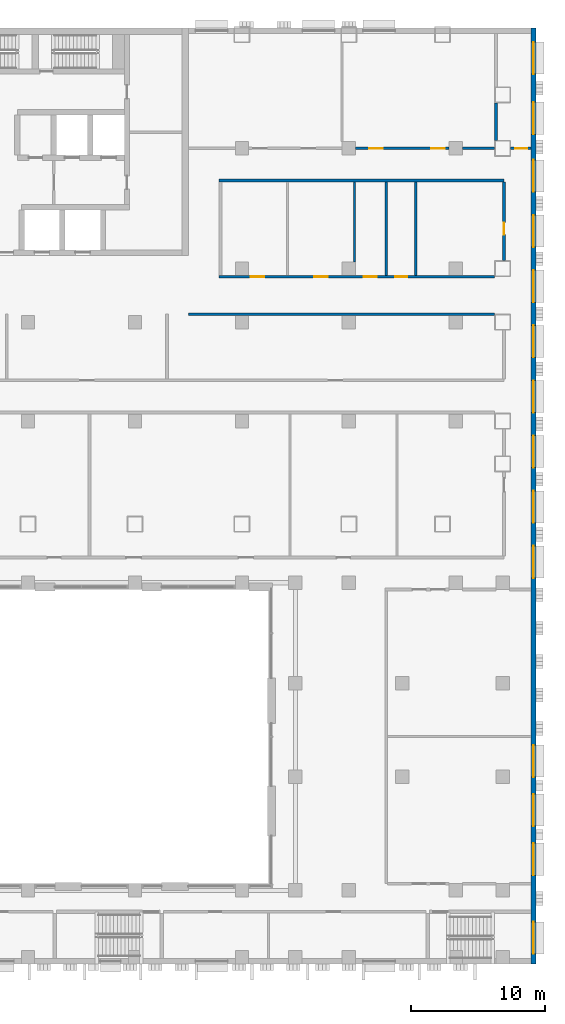
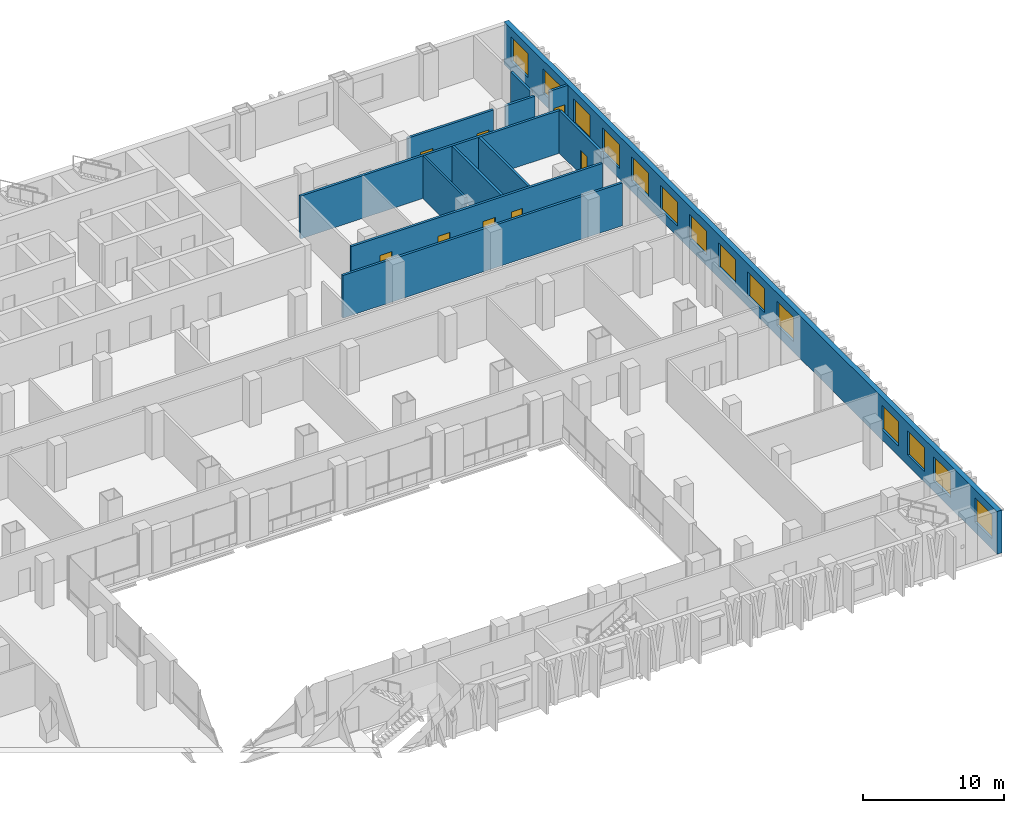
# One storey, part 15 of 26: 14 windows, 12 walls, 8 doors, 22 openings.
"""IFC4 building model written with IfcOpenShell, lengths in metres."""

from ifc_helpers import new_model, si_unit, direction, frame, frame_2d, origin, place, context, subcontext, project, spatial, rectangle, extrude, material, layer, layer_set, type_object, element, fill, save


model = new_model("IFC4")

# Units and contexts
model_context = context("Model", 3, precision=1e-05, world=origin(), true_north=direction((0.0, 1.0)))
body_context = subcontext(model_context, "Body", "Model", "MODEL_VIEW")
ifc_project = project(units=[si_unit("LENGTHUNIT", "METRE"), si_unit("AREAUNIT", "SQUARE_METRE"), si_unit("VOLUMEUNIT", "CUBIC_METRE"), si_unit("PLANEANGLEUNIT", "RADIAN"), si_unit("MASSUNIT", "GRAM", prefix="KILO")], contexts=[model_context])

# Site, building, storey
site_placement = place(None, origin())
site = spatial("IfcSite", under=ifc_project, at=site_placement, CompositionType="ELEMENT")
building_placement = place(site_placement, origin())
building = spatial("IfcBuilding", under=site, at=building_placement, Name="Vidyagriha Tower", CompositionType="ELEMENT")
storey_placement = place(building_placement, frame((0.0, 0.0, 6.0)))
storey = spatial("IfcBuildingStorey", under=building, at=storey_placement, Name="L01", CompositionType="ELEMENT", Elevation=6.0)

# Wall, openings, windows
ifc_material_1 = material(Name="Concrete C40/50 board-marked with brick facing", Category="concrete")
ifc_layer_1 = layer(ifc_material_1, 0.39990234375)
ifc_layer_set_1 = layer_set([ifc_layer_1], Name="Concrete C40/50 board-marked with brick facing")
wall_type_1 = type_object("IfcWallType", Name="Brick-faced board-marked concrete podium wall 400", PredefinedType="STANDARD", material=ifc_layer_set_1)
wall_1_placement = place(storey_placement, frame((39.800048828125, -50.0, 0.0), z_axis=(0.0, 0.0, 1.0), x_axis=(0.0, 1.0, 0.0)))
wall_1 = element("IfcWall", 1, at=wall_1_placement, inside=storey, type_object=wall_type_1, Name="Podium wall L01 R01", PredefinedType="STANDARD", context=body_context, shape_type="SweptSolid", body=[
    extrude(rectangle(XDim=70.0, YDim=0.39990234375, at=frame_2d((35.0, 0.0))), origin(), (0.0, 0.0, 1.0), 3.699951171875),
])
opening_1_placement = place(wall_1_placement, frame((0.75, 0.0, 0.89990234375)))
opening_1 = element("IfcOpeningElement", 2, at=opening_1_placement, cuts=wall_1, Name="Opening WN3", PredefinedType="OPENING", context=body_context, shape_type="SweptSolid", body=[
    extrude(rectangle(XDim=2.39990234375, YDim=2.10009765625, at=frame_2d((1.199951171875, 1.050048828125))), frame((0.0, 0.2099609375, 0.0), z_axis=(0.0, -1.0, 0.0), x_axis=(1.0, 0.0, 0.0)), (0.0, 0.0, 1.0), 0.419921875),
])
opening_2_placement = place(wall_1_placement, frame((6.63330078125, 0.0, 0.89990234375)))
opening_2 = element("IfcOpeningElement", 3, at=opening_2_placement, cuts=wall_1, Name="Opening WN3", PredefinedType="OPENING", context=body_context, shape_type="SweptSolid", body=[
    extrude(rectangle(XDim=2.39990234375, YDim=2.10009765625, at=frame_2d((1.199951171875, 1.050048828125))), frame((0.0, 0.2099609375, 0.0), z_axis=(0.0, -1.0, 0.0), x_axis=(1.0, 0.0, 0.0)), (0.0, 0.0, 1.0), 0.419921875),
])
opening_3_placement = place(wall_1_placement, frame((10.300048828125, 0.0, 0.89990234375)))
opening_3 = element("IfcOpeningElement", 4, at=opening_3_placement, cuts=wall_1, Name="Opening WN3", PredefinedType="OPENING", context=body_context, shape_type="SweptSolid", body=[
    extrude(rectangle(XDim=2.39990234375, YDim=2.10009765625, at=frame_2d((1.199951171875, 1.050048828125))), frame((0.0, 0.2099609375, 0.0), z_axis=(0.0, -1.0, 0.0), x_axis=(1.0, 0.0, 0.0)), (0.0, 0.0, 1.0), 0.419921875),
])
opening_4_placement = place(wall_1_placement, frame((13.966796875, 0.0, 0.89990234375)))
opening_4 = element("IfcOpeningElement", 5, at=opening_4_placement, cuts=wall_1, Name="Opening WN3", PredefinedType="OPENING", context=body_context, shape_type="SweptSolid", body=[
    extrude(rectangle(XDim=2.39990234375, YDim=2.10009765625, at=frame_2d((1.199951171875, 1.050048828125))), frame((0.0, 0.2099609375, 0.0), z_axis=(0.0, -1.0, 0.0), x_axis=(1.0, 0.0, 0.0)), (0.0, 0.0, 1.0), 0.419921875),
])
opening_5_placement = place(wall_1_placement, frame((28.862548828125, 0.0, 0.89990234375)))
opening_5 = element("IfcOpeningElement", 6, at=opening_5_placement, cuts=wall_1, Name="Opening WN3", PredefinedType="OPENING", context=body_context, shape_type="SweptSolid", body=[
    extrude(rectangle(XDim=2.39990234375, YDim=2.10009765625, at=frame_2d((1.199951171875, 1.050048828125))), frame((0.0, 0.2099609375, 0.0), z_axis=(0.0, -1.0, 0.0), x_axis=(1.0, 0.0, 0.0)), (0.0, 0.0, 1.0), 0.419921875),
])
opening_6_placement = place(wall_1_placement, frame((32.987548828125, 0.0, 0.89990234375)))
opening_6 = element("IfcOpeningElement", 7, at=opening_6_placement, cuts=wall_1, Name="Opening WN3", PredefinedType="OPENING", context=body_context, shape_type="SweptSolid", body=[
    extrude(rectangle(XDim=2.39990234375, YDim=2.10009765625, at=frame_2d((1.199951171875, 1.050048828125))), frame((0.0, 0.2099609375, 0.0), z_axis=(0.0, -1.0, 0.0), x_axis=(1.0, 0.0, 0.0)), (0.0, 0.0, 1.0), 0.419921875),
])
opening_7_placement = place(wall_1_placement, frame((37.112548828125, 0.0, 0.89990234375)))
opening_7 = element("IfcOpeningElement", 8, at=opening_7_placement, cuts=wall_1, Name="Opening WN3", PredefinedType="OPENING", context=body_context, shape_type="SweptSolid", body=[
    extrude(rectangle(XDim=2.39990234375, YDim=2.10009765625, at=frame_2d((1.199951171875, 1.050048828125))), frame((0.0, 0.2099609375, 0.0), z_axis=(0.0, -1.0, 0.0), x_axis=(1.0, 0.0, 0.0)), (0.0, 0.0, 1.0), 0.419921875),
])
opening_8_placement = place(wall_1_placement, frame((41.237548828125, 0.0, 0.89990234375)))
opening_8 = element("IfcOpeningElement", 9, at=opening_8_placement, cuts=wall_1, Name="Opening WN3", PredefinedType="OPENING", context=body_context, shape_type="SweptSolid", body=[
    extrude(rectangle(XDim=2.39990234375, YDim=2.10009765625, at=frame_2d((1.199951171875, 1.050048828125))), frame((0.0, 0.2099609375, 0.0), z_axis=(0.0, -1.0, 0.0), x_axis=(1.0, 0.0, 0.0)), (0.0, 0.0, 1.0), 0.419921875),
])
opening_9_placement = place(wall_1_placement, frame((45.362548828125, 0.0, 0.89990234375)))
opening_9 = element("IfcOpeningElement", 10, at=opening_9_placement, cuts=wall_1, Name="Opening WN3", PredefinedType="OPENING", context=body_context, shape_type="SweptSolid", body=[
    extrude(rectangle(XDim=2.39990234375, YDim=2.10009765625, at=frame_2d((1.199951171875, 1.050048828125))), frame((0.0, 0.2099609375, 0.0), z_axis=(0.0, -1.0, 0.0), x_axis=(1.0, 0.0, 0.0)), (0.0, 0.0, 1.0), 0.419921875),
])
opening_10_placement = place(wall_1_placement, frame((49.487548828125, 0.0, 0.89990234375)))
opening_10 = element("IfcOpeningElement", 11, at=opening_10_placement, cuts=wall_1, Name="Opening WN3", PredefinedType="OPENING", context=body_context, shape_type="SweptSolid", body=[
    extrude(rectangle(XDim=2.39990234375, YDim=2.10009765625, at=frame_2d((1.199951171875, 1.050048828125))), frame((0.0, 0.2099609375, 0.0), z_axis=(0.0, -1.0, 0.0), x_axis=(1.0, 0.0, 0.0)), (0.0, 0.0, 1.0), 0.419921875),
])
opening_11_placement = place(wall_1_placement, frame((53.612548828125, 0.0, 0.89990234375)))
opening_11 = element("IfcOpeningElement", 12, at=opening_11_placement, cuts=wall_1, Name="Opening WN3", PredefinedType="OPENING", context=body_context, shape_type="SweptSolid", body=[
    extrude(rectangle(XDim=2.39990234375, YDim=2.10009765625, at=frame_2d((1.199951171875, 1.050048828125))), frame((0.0, 0.2099609375, 0.0), z_axis=(0.0, -1.0, 0.0), x_axis=(1.0, 0.0, 0.0)), (0.0, 0.0, 1.0), 0.419921875),
])
opening_12_placement = place(wall_1_placement, frame((57.737548828125, 0.0, 0.89990234375)))
opening_12 = element("IfcOpeningElement", 13, at=opening_12_placement, cuts=wall_1, Name="Opening WN3", PredefinedType="OPENING", context=body_context, shape_type="SweptSolid", body=[
    extrude(rectangle(XDim=2.39990234375, YDim=2.10009765625, at=frame_2d((1.199951171875, 1.050048828125))), frame((0.0, 0.2099609375, 0.0), z_axis=(0.0, -1.0, 0.0), x_axis=(1.0, 0.0, 0.0)), (0.0, 0.0, 1.0), 0.419921875),
])
opening_13_placement = place(wall_1_placement, frame((62.050048828125, 0.0, 0.89990234375)))
opening_13 = element("IfcOpeningElement", 14, at=opening_13_placement, cuts=wall_1, Name="Opening WN3", PredefinedType="OPENING", context=body_context, shape_type="SweptSolid", body=[
    extrude(rectangle(XDim=2.39990234375, YDim=2.10009765625, at=frame_2d((1.199951171875, 1.050048828125))), frame((0.0, 0.2099609375, 0.0), z_axis=(0.0, -1.0, 0.0), x_axis=(1.0, 0.0, 0.0)), (0.0, 0.0, 1.0), 0.419921875),
])
opening_14_placement = place(wall_1_placement, frame((66.550048828125, 0.0, 0.89990234375)))
opening_14 = element("IfcOpeningElement", 15, at=opening_14_placement, cuts=wall_1, Name="Opening WN3", PredefinedType="OPENING", context=body_context, shape_type="SweptSolid", body=[
    extrude(rectangle(XDim=2.39990234375, YDim=2.10009765625, at=frame_2d((1.199951171875, 1.050048828125))), frame((0.0, 0.2099609375, 0.0), z_axis=(0.0, -1.0, 0.0), x_axis=(1.0, 0.0, 0.0)), (0.0, 0.0, 1.0), 0.419921875),
])
ifc_material_2 = material(Name="Aluminium and glass window", Category="aluminium")
window_type = type_object("IfcWindowType", Name="Podium school window 2400x2100", PartitioningType="NOTDEFINED", PredefinedType="WINDOW", material=ifc_material_2)
window_1_placement = place(opening_1_placement, origin())
window_1 = element("IfcWindow", 16, at=window_1_placement, inside=storey, type_object=window_type, Name="School window L01 R01.1", OverallHeight=2.10009765625, OverallWidth=2.39990234375, PartitioningType="SINGLE_PANEL", PredefinedType="WINDOW", context=body_context, shape_type="SweptSolid", body=[
    extrude(rectangle(XDim=2.39990234375, YDim=2.10009765625, at=frame_2d((1.199951171875, 1.050048828125))), frame((0.0, 0.030029296875, 0.0), z_axis=(0.0, -1.0, 0.0), x_axis=(1.0, 0.0, 0.0)), (0.0, 0.0, 1.0), 0.06005859375),
])
fill(opening_1, window_1)
window_2_placement = place(opening_2_placement, origin())
window_2 = element("IfcWindow", 17, at=window_2_placement, inside=storey, type_object=window_type, Name="School window L01 R01.3", OverallHeight=2.10009765625, OverallWidth=2.39990234375, PartitioningType="SINGLE_PANEL", PredefinedType="WINDOW", context=body_context, shape_type="SweptSolid", body=[
    extrude(rectangle(XDim=2.39990234375, YDim=2.10009765625, at=frame_2d((1.199951171875, 1.050048828125))), frame((0.0, 0.030029296875, 0.0), z_axis=(0.0, -1.0, 0.0), x_axis=(1.0, 0.0, 0.0)), (0.0, 0.0, 1.0), 0.06005859375),
])
fill(opening_2, window_2)
window_3_placement = place(opening_3_placement, origin())
window_3 = element("IfcWindow", 18, at=window_3_placement, inside=storey, type_object=window_type, Name="School window L01 R01.4", OverallHeight=2.10009765625, OverallWidth=2.39990234375, PartitioningType="SINGLE_PANEL", PredefinedType="WINDOW", context=body_context, shape_type="SweptSolid", body=[
    extrude(rectangle(XDim=2.39990234375, YDim=2.10009765625, at=frame_2d((1.199951171875, 1.050048828125))), frame((0.0, 0.030029296875, 0.0), z_axis=(0.0, -1.0, 0.0), x_axis=(1.0, 0.0, 0.0)), (0.0, 0.0, 1.0), 0.06005859375),
])
fill(opening_3, window_3)
window_4_placement = place(opening_4_placement, origin())
window_4 = element("IfcWindow", 19, at=window_4_placement, inside=storey, type_object=window_type, Name="School window L01 R01.5", OverallHeight=2.10009765625, OverallWidth=2.39990234375, PartitioningType="SINGLE_PANEL", PredefinedType="WINDOW", context=body_context, shape_type="SweptSolid", body=[
    extrude(rectangle(XDim=2.39990234375, YDim=2.10009765625, at=frame_2d((1.199951171875, 1.050048828125))), frame((0.0, 0.030029296875, 0.0), z_axis=(0.0, -1.0, 0.0), x_axis=(1.0, 0.0, 0.0)), (0.0, 0.0, 1.0), 0.06005859375),
])
fill(opening_4, window_4)
window_5_placement = place(opening_5_placement, origin())
window_5 = element("IfcWindow", 20, at=window_5_placement, inside=storey, type_object=window_type, Name="School window L01 R01.10", OverallHeight=2.10009765625, OverallWidth=2.39990234375, PartitioningType="SINGLE_PANEL", PredefinedType="WINDOW", context=body_context, shape_type="SweptSolid", body=[
    extrude(rectangle(XDim=2.39990234375, YDim=2.10009765625, at=frame_2d((1.199951171875, 1.050048828125))), frame((0.0, 0.030029296875, 0.0), z_axis=(0.0, -1.0, 0.0), x_axis=(1.0, 0.0, 0.0)), (0.0, 0.0, 1.0), 0.06005859375),
])
fill(opening_5, window_5)
window_6_placement = place(opening_6_placement, origin())
window_6 = element("IfcWindow", 21, at=window_6_placement, inside=storey, type_object=window_type, Name="School window L01 R01.11", OverallHeight=2.10009765625, OverallWidth=2.39990234375, PartitioningType="SINGLE_PANEL", PredefinedType="WINDOW", context=body_context, shape_type="SweptSolid", body=[
    extrude(rectangle(XDim=2.39990234375, YDim=2.10009765625, at=frame_2d((1.199951171875, 1.050048828125))), frame((0.0, 0.030029296875, 0.0), z_axis=(0.0, -1.0, 0.0), x_axis=(1.0, 0.0, 0.0)), (0.0, 0.0, 1.0), 0.06005859375),
])
fill(opening_6, window_6)
window_7_placement = place(opening_7_placement, origin())
window_7 = element("IfcWindow", 22, at=window_7_placement, inside=storey, type_object=window_type, Name="School window L01 R01.12", OverallHeight=2.10009765625, OverallWidth=2.39990234375, PartitioningType="SINGLE_PANEL", PredefinedType="WINDOW", context=body_context, shape_type="SweptSolid", body=[
    extrude(rectangle(XDim=2.39990234375, YDim=2.10009765625, at=frame_2d((1.199951171875, 1.050048828125))), frame((0.0, 0.030029296875, 0.0), z_axis=(0.0, -1.0, 0.0), x_axis=(1.0, 0.0, 0.0)), (0.0, 0.0, 1.0), 0.06005859375),
])
fill(opening_7, window_7)
window_8_placement = place(opening_8_placement, origin())
window_8 = element("IfcWindow", 23, at=window_8_placement, inside=storey, type_object=window_type, Name="School window L01 R01.13", OverallHeight=2.10009765625, OverallWidth=2.39990234375, PartitioningType="SINGLE_PANEL", PredefinedType="WINDOW", context=body_context, shape_type="SweptSolid", body=[
    extrude(rectangle(XDim=2.39990234375, YDim=2.10009765625, at=frame_2d((1.199951171875, 1.050048828125))), frame((0.0, 0.030029296875, 0.0), z_axis=(0.0, -1.0, 0.0), x_axis=(1.0, 0.0, 0.0)), (0.0, 0.0, 1.0), 0.06005859375),
])
fill(opening_8, window_8)
window_9_placement = place(opening_9_placement, origin())
window_9 = element("IfcWindow", 24, at=window_9_placement, inside=storey, type_object=window_type, Name="School window L01 R01.14", OverallHeight=2.10009765625, OverallWidth=2.39990234375, PartitioningType="SINGLE_PANEL", PredefinedType="WINDOW", context=body_context, shape_type="SweptSolid", body=[
    extrude(rectangle(XDim=2.39990234375, YDim=2.10009765625, at=frame_2d((1.199951171875, 1.050048828125))), frame((0.0, 0.030029296875, 0.0), z_axis=(0.0, -1.0, 0.0), x_axis=(1.0, 0.0, 0.0)), (0.0, 0.0, 1.0), 0.06005859375),
])
fill(opening_9, window_9)
window_10_placement = place(opening_10_placement, origin())
window_10 = element("IfcWindow", 25, at=window_10_placement, inside=storey, type_object=window_type, Name="School window L01 R01.15", OverallHeight=2.10009765625, OverallWidth=2.39990234375, PartitioningType="SINGLE_PANEL", PredefinedType="WINDOW", context=body_context, shape_type="SweptSolid", body=[
    extrude(rectangle(XDim=2.39990234375, YDim=2.10009765625, at=frame_2d((1.199951171875, 1.050048828125))), frame((0.0, 0.030029296875, 0.0), z_axis=(0.0, -1.0, 0.0), x_axis=(1.0, 0.0, 0.0)), (0.0, 0.0, 1.0), 0.06005859375),
])
fill(opening_10, window_10)
window_11_placement = place(opening_11_placement, origin())
window_11 = element("IfcWindow", 26, at=window_11_placement, inside=storey, type_object=window_type, Name="School window L01 R01.16", OverallHeight=2.10009765625, OverallWidth=2.39990234375, PartitioningType="SINGLE_PANEL", PredefinedType="WINDOW", context=body_context, shape_type="SweptSolid", body=[
    extrude(rectangle(XDim=2.39990234375, YDim=2.10009765625, at=frame_2d((1.199951171875, 1.050048828125))), frame((0.0, 0.030029296875, 0.0), z_axis=(0.0, -1.0, 0.0), x_axis=(1.0, 0.0, 0.0)), (0.0, 0.0, 1.0), 0.06005859375),
])
fill(opening_11, window_11)
window_12_placement = place(opening_12_placement, origin())
window_12 = element("IfcWindow", 27, at=window_12_placement, inside=storey, type_object=window_type, Name="School window L01 R01.17", OverallHeight=2.10009765625, OverallWidth=2.39990234375, PartitioningType="SINGLE_PANEL", PredefinedType="WINDOW", context=body_context, shape_type="SweptSolid", body=[
    extrude(rectangle(XDim=2.39990234375, YDim=2.10009765625, at=frame_2d((1.199951171875, 1.050048828125))), frame((0.0, 0.030029296875, 0.0), z_axis=(0.0, -1.0, 0.0), x_axis=(1.0, 0.0, 0.0)), (0.0, 0.0, 1.0), 0.06005859375),
])
fill(opening_12, window_12)
window_13_placement = place(opening_13_placement, origin())
window_13 = element("IfcWindow", 28, at=window_13_placement, inside=storey, type_object=window_type, Name="School window L01 R01.18", OverallHeight=2.10009765625, OverallWidth=2.39990234375, PartitioningType="SINGLE_PANEL", PredefinedType="WINDOW", context=body_context, shape_type="SweptSolid", body=[
    extrude(rectangle(XDim=2.39990234375, YDim=2.10009765625, at=frame_2d((1.199951171875, 1.050048828125))), frame((0.0, 0.030029296875, 0.0), z_axis=(0.0, -1.0, 0.0), x_axis=(1.0, 0.0, 0.0)), (0.0, 0.0, 1.0), 0.06005859375),
])
fill(opening_13, window_13)
window_14_placement = place(opening_14_placement, origin())
window_14 = element("IfcWindow", 29, at=window_14_placement, inside=storey, type_object=window_type, Name="School window L01 R01.19", OverallHeight=2.10009765625, OverallWidth=2.39990234375, PartitioningType="SINGLE_PANEL", PredefinedType="WINDOW", context=body_context, shape_type="SweptSolid", body=[
    extrude(rectangle(XDim=2.39990234375, YDim=2.10009765625, at=frame_2d((1.199951171875, 1.050048828125))), frame((0.0, 0.030029296875, 0.0), z_axis=(0.0, -1.0, 0.0), x_axis=(1.0, 0.0, 0.0)), (0.0, 0.0, 1.0), 0.06005859375),
])
fill(opening_14, window_14)

# Wall
ifc_material_3 = material(Name="Fire rated gypsum board on light gauge framing")
ifc_layer_2 = layer(ifc_material_3, 0.199951171875)
ifc_layer_set_2 = layer_set([ifc_layer_2], Name="Fire rated gypsum board on light gauge framing")
wall_type_2 = type_object("IfcWallType", Name="Fire Rated Corridor Wall 200", PredefinedType="PARTITIONING", material=ifc_layer_set_2)
wall_2_placement = place(storey_placement, frame((14.0, -1.39990234375, 0.0)))
element("IfcWall", 30, at=wall_2_placement, inside=storey, type_object=wall_type_2, Name="L01 Fire Rated Corridor Wall 200 025", PredefinedType="PARTITIONING", context=body_context, shape_type="SweptSolid", body=[
    extrude(rectangle(XDim=22.89990234375, YDim=0.199951171875, at=frame_2d((11.449951171875, 0.0))), origin(), (0.0, 0.0, 1.0), 3.699951171875),
])

# Wall, openings, doors
wall_3_placement = place(storey_placement, frame((16.300048828125, 1.39990234375, 0.0)))
wall_3 = element("IfcWall", 31, at=wall_3_placement, inside=storey, type_object=wall_type_2, Name="L01 Fire Rated Corridor Wall 200 027", PredefinedType="PARTITIONING", context=body_context, shape_type="SweptSolid", body=[
    extrude(rectangle(XDim=20.599853515625, YDim=0.199951171875, at=frame_2d((10.2998046875, 0.0))), origin(), (0.0, 0.0, 1.0), 3.699951171875),
])
opening_15_placement = place(wall_3_placement, frame((2.349853515625, 0.0, 0.0)))
opening_15 = element("IfcOpeningElement", 32, at=opening_15_placement, cuts=wall_3, Name="Opening D01-47", PredefinedType="OPENING", context=body_context, shape_type="SweptSolid", body=[
    extrude(rectangle(XDim=1.0, YDim=2.10009765625, at=frame_2d((0.5, 1.050048828125))), frame((0.0, 0.10986328125, 0.0), z_axis=(0.0, -1.0, 0.0), x_axis=(1.0, 0.0, 0.0)), (0.0, 0.0, 1.0), 0.219970703125),
])
opening_16_placement = place(wall_3_placement, frame((7.099853515625, 0.0, 0.0)))
opening_16 = element("IfcOpeningElement", 33, at=opening_16_placement, cuts=wall_3, Name="Opening D01-48", PredefinedType="OPENING", context=body_context, shape_type="SweptSolid", body=[
    extrude(rectangle(XDim=1.0, YDim=2.10009765625, at=frame_2d((0.5, 1.050048828125))), frame((0.0, 0.10986328125, 0.0), z_axis=(0.0, -1.0, 0.0), x_axis=(1.0, 0.0, 0.0)), (0.0, 0.0, 1.0), 0.219970703125),
])
opening_17_placement = place(wall_3_placement, frame((10.7998046875, 0.0, 0.0)))
opening_17 = element("IfcOpeningElement", 34, at=opening_17_placement, cuts=wall_3, Name="Opening D01-49", PredefinedType="OPENING", context=body_context, shape_type="SweptSolid", body=[
    extrude(rectangle(XDim=1.0, YDim=2.10009765625, at=frame_2d((0.5, 1.050048828125))), frame((0.0, 0.10986328125, 0.0), z_axis=(0.0, -1.0, 0.0), x_axis=(1.0, 0.0, 0.0)), (0.0, 0.0, 1.0), 0.219970703125),
])
opening_18_placement = place(wall_3_placement, frame((13.14990234375, 0.0, 0.0)))
opening_18 = element("IfcOpeningElement", 35, at=opening_18_placement, cuts=wall_3, Name="Opening D01-50", PredefinedType="OPENING", context=body_context, shape_type="SweptSolid", body=[
    extrude(rectangle(XDim=0.89990234375, YDim=2.10009765625, at=frame_2d((0.449951171875, 1.050048828125))), frame((0.0, 0.10986328125, 0.0), z_axis=(0.0, -1.0, 0.0), x_axis=(1.0, 0.0, 0.0)), (0.0, 0.0, 1.0), 0.219970703125),
])
ifc_material_4 = material(Name="Steel fire door set", Category="steel")
door_type_1 = type_object("IfcDoorType", Name="Podium Door 1000x2100 EI 30", OperationType="NOTDEFINED", PredefinedType="DOOR", material=ifc_material_4)
door_1_placement = place(opening_15_placement, origin())
door_1 = element("IfcDoor", 36, at=door_1_placement, inside=storey, type_object=door_type_1, Name="L01 door D01-47", OperationType="SINGLE_SWING_LEFT", OverallHeight=2.10009765625, OverallWidth=1.0, PredefinedType="DOOR", context=body_context, shape_type="SweptSolid", body=[
    extrude(rectangle(XDim=1.0, YDim=2.10009765625, at=frame_2d((0.5, 1.050048828125))), frame((0.0, 0.02490234375, 0.0), z_axis=(0.0, -1.0, 0.0), x_axis=(1.0, 0.0, 0.0)), (0.0, 0.0, 1.0), 0.050048828125),
])
fill(opening_15, door_1)
door_2_placement = place(opening_16_placement, origin())
door_2 = element("IfcDoor", 37, at=door_2_placement, inside=storey, type_object=door_type_1, Name="L01 door D01-48", OperationType="SINGLE_SWING_LEFT", OverallHeight=2.10009765625, OverallWidth=1.0, PredefinedType="DOOR", context=body_context, shape_type="SweptSolid", body=[
    extrude(rectangle(XDim=1.0, YDim=2.10009765625, at=frame_2d((0.5, 1.050048828125))), frame((0.0, 0.02490234375, 0.0), z_axis=(0.0, -1.0, 0.0), x_axis=(1.0, 0.0, 0.0)), (0.0, 0.0, 1.0), 0.050048828125),
])
fill(opening_16, door_2)
door_3_placement = place(opening_17_placement, origin())
door_3 = element("IfcDoor", 38, at=door_3_placement, inside=storey, type_object=door_type_1, Name="L01 door D01-49", OperationType="SINGLE_SWING_RIGHT", OverallHeight=2.10009765625, OverallWidth=1.0, PredefinedType="DOOR", context=body_context, shape_type="SweptSolid", body=[
    extrude(rectangle(XDim=1.0, YDim=2.10009765625, at=frame_2d((0.5, 1.050048828125))), frame((0.0, 0.02490234375, 0.0), z_axis=(0.0, -1.0, 0.0), x_axis=(1.0, 0.0, 0.0)), (0.0, 0.0, 1.0), 0.050048828125),
])
fill(opening_17, door_3)
ifc_material_5 = material(Name="Steel fire door set", Category="steel")
door_type_2 = type_object("IfcDoorType", Name="Podium Door 900x2100 EI 30", OperationType="NOTDEFINED", PredefinedType="DOOR", material=ifc_material_5)
door_4_placement = place(opening_18_placement, origin())
door_4 = element("IfcDoor", 39, at=door_4_placement, inside=storey, type_object=door_type_2, Name="L01 door D01-50", OperationType="SINGLE_SWING_RIGHT", OverallHeight=2.10009765625, OverallWidth=0.89990234375, PredefinedType="DOOR", context=body_context, shape_type="SweptSolid", body=[
    extrude(rectangle(XDim=0.89990234375, YDim=2.10009765625, at=frame_2d((0.449951171875, 1.050048828125))), frame((0.0, 0.02490234375, 0.0), z_axis=(0.0, -1.0, 0.0), x_axis=(1.0, 0.0, 0.0)), (0.0, 0.0, 1.0), 0.050048828125),
])
fill(opening_18, door_4)

# Wall
wall_4_placement = place(storey_placement, frame((16.300048828125, 8.60009765625, 0.0)))
element("IfcWall", 40, at=wall_4_placement, inside=storey, type_object=wall_type_2, Name="L01 Fire Rated Corridor Wall 200 029", PredefinedType="PARTITIONING", context=body_context, shape_type="SweptSolid", body=[
    extrude(rectangle(XDim=21.2998046875, YDim=0.199951171875, at=frame_2d((10.64990234375, 0.0))), origin(), (0.0, 0.0, 1.0), 3.699951171875),
])

# Wall, openings, doors
wall_5_placement = place(storey_placement, frame((26.5, 11.0, 0.0)))
wall_5 = element("IfcWall", 41, at=wall_5_placement, inside=storey, type_object=wall_type_2, Name="L01 Fire Rated Corridor Wall 200 036", PredefinedType="PARTITIONING", context=body_context, shape_type="SweptSolid", body=[
    extrude(rectangle(XDim=7.0, YDim=0.199951171875, at=frame_2d((3.5, 0.0))), origin(), (0.0, 0.0, 1.0), 3.699951171875),
])
opening_19_placement = place(wall_5_placement, frame((1.030029296875, 0.0, 0.0)))
opening_19 = element("IfcOpeningElement", 42, at=opening_19_placement, cuts=wall_5, Name="Opening D01-57", PredefinedType="OPENING", context=body_context, shape_type="SweptSolid", body=[
    extrude(rectangle(XDim=1.0, YDim=2.10009765625, at=frame_2d((0.5, 1.050048828125))), frame((0.0, 0.10986328125, 0.0), z_axis=(0.0, -1.0, 0.0), x_axis=(1.0, 0.0, 0.0)), (0.0, 0.0, 1.0), 0.219970703125),
])
opening_20_placement = place(wall_5_placement, frame((5.64990234375, 0.0, 0.0)))
opening_20 = element("IfcOpeningElement", 43, at=opening_20_placement, cuts=wall_5, Name="Opening D01-58", PredefinedType="OPENING", context=body_context, shape_type="SweptSolid", body=[
    extrude(rectangle(XDim=1.0, YDim=2.10009765625, at=frame_2d((0.5, 1.050048828125))), frame((0.0, 0.10986328125, 0.0), z_axis=(0.0, -1.0, 0.0), x_axis=(1.0, 0.0, 0.0)), (0.0, 0.0, 1.0), 0.219970703125),
])
door_5_placement = place(opening_19_placement, origin())
door_5 = element("IfcDoor", 44, at=door_5_placement, inside=storey, type_object=door_type_1, Name="L01 door D01-57", OperationType="SINGLE_SWING_LEFT", OverallHeight=2.10009765625, OverallWidth=1.0, PredefinedType="DOOR", context=body_context, shape_type="SweptSolid", body=[
    extrude(rectangle(XDim=1.0, YDim=2.10009765625, at=frame_2d((0.5, 1.050048828125))), frame((0.0, 0.02490234375, 0.0), z_axis=(0.0, -1.0, 0.0), x_axis=(1.0, 0.0, 0.0)), (0.0, 0.0, 1.0), 0.050048828125),
])
fill(opening_19, door_5)
door_6_placement = place(opening_20_placement, origin())
door_6 = element("IfcDoor", 45, at=door_6_placement, inside=storey, type_object=door_type_1, Name="L01 door D01-58", OperationType="SINGLE_SWING_RIGHT", OverallHeight=2.10009765625, OverallWidth=1.0, PredefinedType="DOOR", context=body_context, shape_type="SweptSolid", body=[
    extrude(rectangle(XDim=1.0, YDim=2.10009765625, at=frame_2d((0.5, 1.050048828125))), frame((0.0, 0.02490234375, 0.0), z_axis=(0.0, -1.0, 0.0), x_axis=(1.0, 0.0, 0.0)), (0.0, 0.0, 1.0), 0.050048828125),
])
fill(opening_20, door_6)

# Wall
wall_6_placement = place(storey_placement, frame((34.5, 11.0, 0.0)))
element("IfcWall", 46, at=wall_6_placement, inside=storey, type_object=wall_type_2, Name="L01 Fire Rated Corridor Wall 200 037", PredefinedType="PARTITIONING", context=body_context, shape_type="SweptSolid", body=[
    extrude(rectangle(XDim=2.39990234375, YDim=0.199951171875, at=frame_2d((1.199951171875, 0.0))), origin(), (0.0, 0.0, 1.0), 3.699951171875),
])

# Wall, opening, door
wall_7_placement = place(storey_placement, frame((38.10009765625, 11.0, 0.0)))
wall_7 = element("IfcWall", 47, at=wall_7_placement, inside=storey, type_object=wall_type_2, Name="L01 Fire Rated Corridor Wall 200 038", PredefinedType="PARTITIONING", context=body_context, shape_type="SweptSolid", body=[
    extrude(rectangle(XDim=1.5, YDim=0.199951171875, at=frame_2d((0.75, 0.0))), origin(), (0.0, 0.0, 1.0), 3.699951171875),
])
opening_21_placement = place(wall_7_placement, frame((0.35009765625, 0.0, 0.0)))
opening_21 = element("IfcOpeningElement", 48, at=opening_21_placement, cuts=wall_7, Name="Opening D01-59", PredefinedType="OPENING", context=body_context, shape_type="SweptSolid", body=[
    extrude(rectangle(XDim=0.89990234375, YDim=2.10009765625, at=frame_2d((0.449951171875, 1.050048828125))), frame((0.0, 0.10986328125, 0.0), z_axis=(0.0, -1.0, 0.0), x_axis=(1.0, 0.0, 0.0)), (0.0, 0.0, 1.0), 0.219970703125),
])
door_7_placement = place(opening_21_placement, origin())
door_7 = element("IfcDoor", 49, at=door_7_placement, inside=storey, type_object=door_type_2, Name="L01 door D01-59", OperationType="SINGLE_SWING_RIGHT", OverallHeight=2.10009765625, OverallWidth=0.89990234375, PredefinedType="DOOR", context=body_context, shape_type="SweptSolid", body=[
    extrude(rectangle(XDim=0.89990234375, YDim=2.10009765625, at=frame_2d((0.449951171875, 1.050048828125))), frame((0.0, 0.02490234375, 0.0), z_axis=(0.0, -1.0, 0.0), x_axis=(1.0, 0.0, 0.0)), (0.0, 0.0, 1.0), 0.050048828125),
])
fill(opening_21, door_7)

# Walls
for number, where, z_axis, x_axis, name in (
    (50, (28.800048828125, 1.5, 0.0), (0.0, 0.0, 1.0), (0.0, 1.0, 0.0), "L01 Fire Rated Corridor Wall 200 073"),
    (51, (31.0, 1.5, 0.0), (0.0, 0.0, 1.0), (0.0, 1.0, 0.0), "L01 Fire Rated Corridor Wall 200 075"),
):
    element("IfcWall", number, at=place(storey_placement, frame(where, z_axis=z_axis, x_axis=x_axis)), inside=storey, type_object=wall_type_2, Name=name, PredefinedType="PARTITIONING", context=body_context, shape_type="SweptSolid", body=[
        extrude(rectangle(XDim=7.0, YDim=0.199951171875, at=frame_2d((3.5, 0.0))), origin(), (0.0, 0.0, 1.0), 3.699951171875),
    ])
wall_8_placement = place(storey_placement, frame((37.0, 11.60009765625, 0.0), z_axis=(0.0, 0.0, 1.0), x_axis=(0.0, 1.0, 0.0)))
element("IfcWall", 52, at=wall_8_placement, inside=storey, type_object=wall_type_2, Name="L01 Fire Rated Corridor Wall 200 077", PredefinedType="PARTITIONING", context=body_context, shape_type="SweptSolid", body=[
    extrude(rectangle(XDim=2.7998046875, YDim=0.199951171875, at=frame_2d((1.39990234375, 0.0))), origin(), (0.0, 0.0, 1.0), 3.699951171875),
])

# Wall, opening, door
wall_9_placement = place(storey_placement, frame((37.60009765625, 2.60009765625, 0.0), z_axis=(0.0, 0.0, 1.0), x_axis=(0.0, 1.0, 0.0)))
wall_9 = element("IfcWall", 53, at=wall_9_placement, inside=storey, type_object=wall_type_2, Name="L01 Fire Rated Corridor Wall 200 082", PredefinedType="PARTITIONING", context=body_context, shape_type="SweptSolid", body=[
    extrude(rectangle(XDim=5.89990234375, YDim=0.199951171875, at=frame_2d((2.949951171875, 0.0))), origin(), (0.0, 0.0, 1.0), 3.699951171875),
])
opening_22_placement = place(wall_9_placement, frame((1.949951171875, 0.0, 0.0)))
opening_22 = element("IfcOpeningElement", 54, at=opening_22_placement, cuts=wall_9, Name="Opening D01-51", PredefinedType="OPENING", context=body_context, shape_type="SweptSolid", body=[
    extrude(rectangle(XDim=0.89990234375, YDim=2.10009765625, at=frame_2d((0.449951171875, 1.050048828125))), frame((0.0, 0.10986328125, 0.0), z_axis=(0.0, -1.0, 0.0), x_axis=(1.0, 0.0, 0.0)), (0.0, 0.0, 1.0), 0.219970703125),
])
door_8_placement = place(opening_22_placement, origin())
door_8 = element("IfcDoor", 55, at=door_8_placement, inside=storey, type_object=door_type_2, Name="L01 door D01-51", OperationType="SINGLE_SWING_LEFT", OverallHeight=2.10009765625, OverallWidth=0.89990234375, PredefinedType="DOOR", context=body_context, shape_type="SweptSolid", body=[
    extrude(rectangle(XDim=0.89990234375, YDim=2.10009765625, at=frame_2d((0.449951171875, 1.050048828125))), frame((0.0, 0.02490234375, 0.0), z_axis=(0.0, -1.0, 0.0), x_axis=(1.0, 0.0, 0.0)), (0.0, 0.0, 1.0), 0.050048828125),
])
fill(opening_22, door_8)

# Wall
ifc_material_6 = material(Name="Gypsum board on light gauge framing")
ifc_layer_3 = layer(ifc_material_6, 0.14990234375)
ifc_layer_set_3 = layer_set([ifc_layer_3], Name="Gypsum board on light gauge framing")
wall_type_3 = type_object("IfcWallType", Name="Gypsum Board Partition 150", PredefinedType="PARTITIONING", material=ifc_layer_set_3)
wall_10_placement = place(storey_placement, frame((26.39990234375, 2.5, 0.0), z_axis=(0.0, 0.0, 1.0), x_axis=(0.0, 1.0, 0.0)))
element("IfcWall", 56, at=wall_10_placement, inside=storey, type_object=wall_type_3, Name="L01 Gypsum Board Partition 150 071", PredefinedType="PARTITIONING", context=body_context, shape_type="SweptSolid", body=[
    extrude(rectangle(XDim=6.0, YDim=0.14990234375, at=frame_2d((3.0, 0.0))), origin(), (0.0, 0.0, 1.0), 3.699951171875),
])

save(model, "model.ifc")
